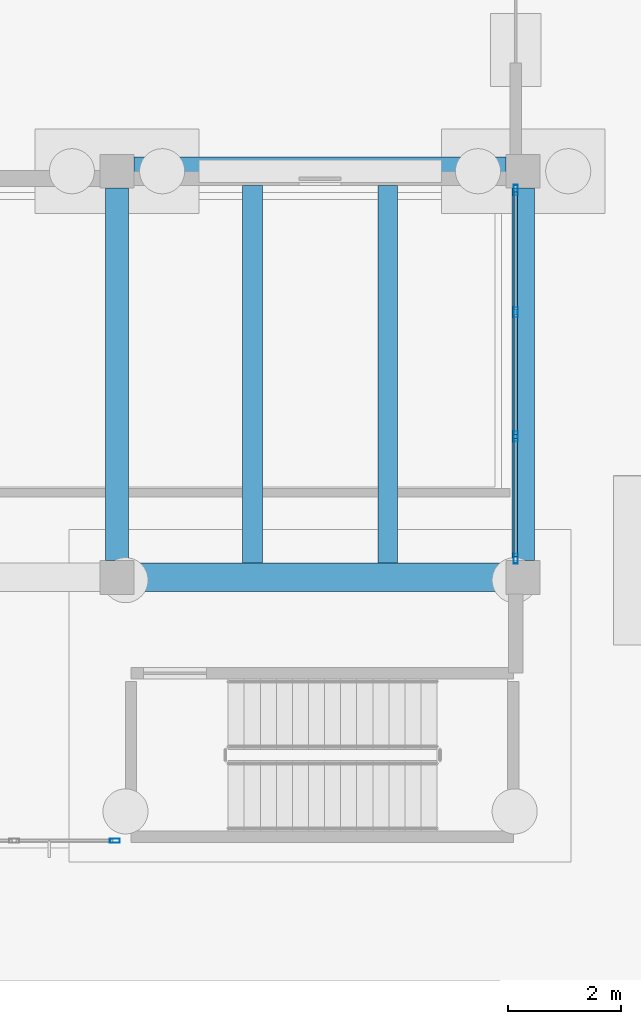
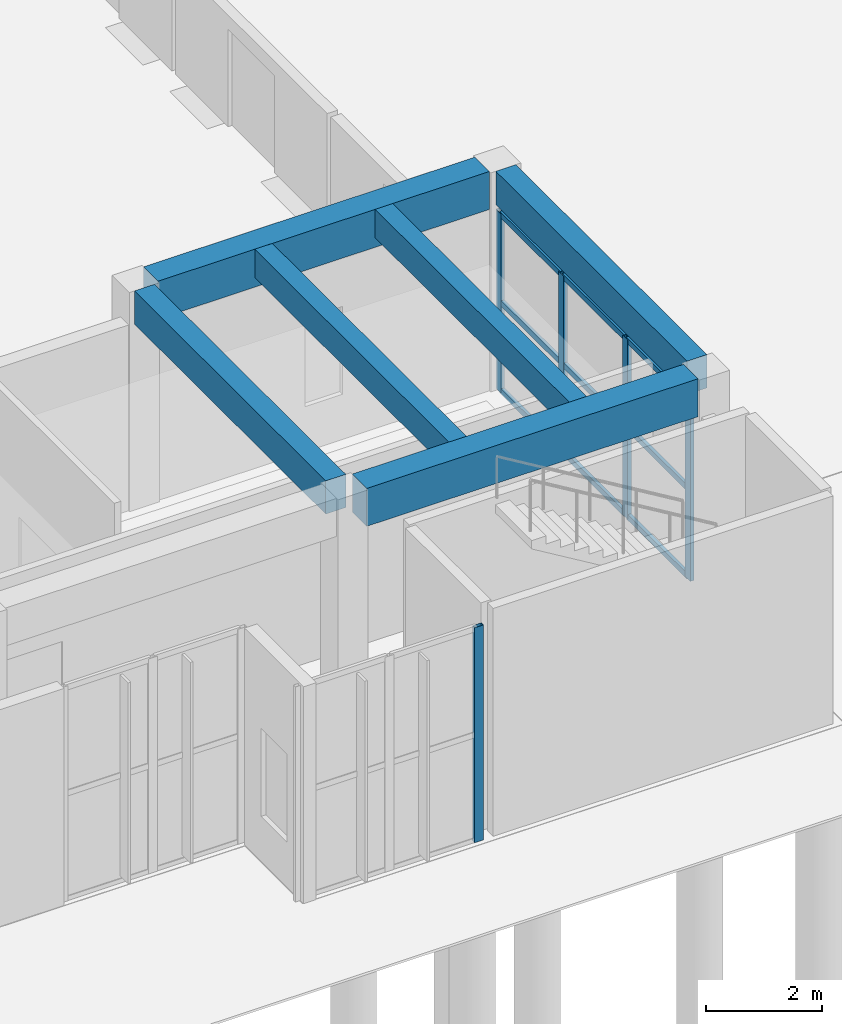
# One storey, part 37 of 155: 14 members, 6 beams, 2 elements without a shape of their own.
"""IFC4 building model written with IfcOpenShell, lengths in metres."""

import ifcopenshell
import ifcopenshell.guid

model = None  # the IFC model being written
_history = None  # IfcOwnerHistory: only IFC2X3 demands one
_inside = {}  # id of a spatial element -> (the spatial element, [elements in it])
_under = {}  # id of a project, library or spatial element -> (it, [spatial elements below it])
_declared = {}  # id of a project -> (the project, [libraries it declares])
_typed = {}  # id of a type object -> (the type object, [elements of that type])
_made_of = {}  # id of a material, layer set ... -> (it, [elements and type objects made of it])


def new_model(schema):
    """Start an empty IFC model of exactly this schema.

    Asked for "IFC4X3", IfcOpenShell would pick the latest addendum, in which some entities
    have other attributes; the version numbers below select the first issue.
    IFC2X3 requires an IfcOwnerHistory on every rooted entity: one is made here for all.
    """
    global model, _history
    if schema == "IFC4X3":
        model = ifcopenshell.file(schema_version=(4, 3, 0, 0))
    else:
        model = ifcopenshell.file(schema=schema)
    _inside.clear()
    _under.clear()
    _declared.clear()
    _typed.clear()
    _made_of.clear()
    _history = None
    if model.schema == "IFC2X3":
        org = make("IfcOrganization", Name="unknown")
        user = make(
            "IfcPersonAndOrganization",
            ThePerson=make("IfcPerson", FamilyName="unknown"),
            TheOrganization=org,
        )
        app = make(
            "IfcApplication",
            ApplicationDeveloper=org,
            Version="unknown",
            ApplicationFullName="unknown",
            ApplicationIdentifier="unknown",
        )
        _history = make(
            "IfcOwnerHistory",
            OwningUser=user,
            OwningApplication=app,
            ChangeAction="ADDED",
            CreationDate=0,
        )
    return model


def make(cls, **values):
    """One entity of the class cls with the attributes given. An attribute that is None is left unset."""
    return model.create_entity(
        cls, **{name: value for name, value in values.items() if value is not None}
    )


def rooted(cls, **values):
    """An entity with a GlobalId (a new one), such as an element, a storey or a relation."""
    return make(cls, GlobalId=ifcopenshell.guid.new(), OwnerHistory=_history, **values)


def si_unit(unit_type, name, prefix=None):
    """IfcSIUnit, for example si_unit("LENGTHUNIT", "METRE", prefix="MILLI")."""
    return make("IfcSIUnit", UnitType=unit_type, Prefix=prefix, Name=name)


def assignment(units):
    """IfcUnitAssignment: the units of a project."""
    return None if units is None else make("IfcUnitAssignment", Units=units)


def point(xyz):
    """IfcCartesianPoint."""
    return None if xyz is None else make("IfcCartesianPoint", Coordinates=xyz)


def direction(xyz):
    """IfcDirection."""
    return None if xyz is None else make("IfcDirection", DirectionRatios=xyz)


def frame(location, z_axis=None, x_axis=None):
    """IfcAxis2Placement3D, a coordinate frame: its origin and axes. An axis left out is left unset."""
    return make(
        "IfcAxis2Placement3D",
        Location=point(location),
        Axis=direction(z_axis),
        RefDirection=direction(x_axis),
    )


def frame_2d(location, x_axis=None):
    """IfcAxis2Placement2D, a coordinate frame in the plane: its origin and x axis."""
    return make(
        "IfcAxis2Placement2D", Location=point(location), RefDirection=direction(x_axis)
    )


def origin():
    """The frame at (0, 0, 0) with its axes left unset."""
    return frame((0.0, 0.0, 0.0))


def origin_2d():
    """The frame at (0, 0) in the plane with its x axis left unset."""
    return frame_2d((0.0, 0.0))


def place(relative_to, where):
    """IfcLocalPlacement: puts the frame where relative to a parent placement (None: the world)."""
    return make(
        "IfcLocalPlacement", PlacementRelTo=relative_to, RelativePlacement=where
    )


def context(
    kind, dimensions, precision=None, world=None, true_north=None, identifier=None
):
    """IfcGeometricRepresentationContext, for example the 3D "Model" context."""
    return make(
        "IfcGeometricRepresentationContext",
        ContextIdentifier=identifier,
        ContextType=kind,
        CoordinateSpaceDimension=dimensions,
        Precision=precision,
        WorldCoordinateSystem=world,
        TrueNorth=true_north,
    )


def subcontext(parent, identifier, kind, view, scale=None):
    """IfcGeometricRepresentationSubContext, for example "Body" below "Model"."""
    return make(
        "IfcGeometricRepresentationSubContext",
        ContextIdentifier=identifier,
        ContextType=kind,
        ParentContext=parent,
        TargetScale=scale,
        TargetView=view,
    )


def project(units=None, contexts=None):
    """IfcProject with its units and contexts."""
    return rooted(
        "IfcProject",
        Name="project",
        RepresentationContexts=contexts,
        UnitsInContext=assignment(units),
    )


def spatial(cls, under=None, at=None, **own):
    """A site, building, storey or space (cls), placed at a placement, below another one or the project."""
    s = rooted(cls, ObjectPlacement=at, **own)
    if under is not None:
        _under.setdefault(under.id(), (under, []))[1].append(s)
    return s


def profile(cls, at=None, kind="AREA", **sizes):
    """A parametric profile (cls). Its sizes go by their IFC names, for example OverallWidth=200.0."""
    return make(cls, ProfileType=kind, Position=at, **sizes)


def rectangle(**sizes):
    """IfcRectangleProfileDef."""
    return profile("IfcRectangleProfileDef", **sizes)


def hollow_rectangle(**sizes):
    """IfcRectangleHollowProfileDef."""
    return profile("IfcRectangleHollowProfileDef", **sizes)


def extrude(swept, where, along, depth):
    """IfcExtrudedAreaSolid: the profile swept, set in the frame where, extruded along a direction by depth."""
    return make(
        "IfcExtrudedAreaSolid",
        SweptArea=swept,
        Position=where,
        ExtrudedDirection=direction(along),
        Depth=depth,
    )


def shape(context_of_items, identifier, shape_type, items):
    """IfcShapeRepresentation: the items that make up one representation, for example the "Body"."""
    return make(
        "IfcShapeRepresentation",
        ContextOfItems=context_of_items,
        RepresentationIdentifier=identifier,
        RepresentationType=shape_type,
        Items=items,
    )


def material(Name=None, Category=None):
    """IfcMaterial."""
    return make("IfcMaterial", Name=Name, Category=Category)


def material_profile(
    of_material, cross_section, Name=None, Category=None, Priority=None
):
    """IfcMaterialProfile: a cross section and its material."""
    return make(
        "IfcMaterialProfile",
        Name=Name,
        Material=of_material,
        Profile=cross_section,
        Priority=Priority,
        Category=Category,
    )


def profile_set(profiles, Name=None, composite=None):
    """IfcMaterialProfileSet."""
    return make(
        "IfcMaterialProfileSet",
        Name=Name,
        MaterialProfiles=profiles,
        CompositeProfile=composite,
    )


def made_of(thing, what):
    """Note that an element or type object is made of a material, layer set ...; save() writes the relation."""
    if what is not None:
        _made_of.setdefault(what.id(), (what, []))[1].append(thing)
    return thing


def type_object(cls, material=None, **own):
    """A type object (cls), such as IfcWallType, which elements share."""
    return made_of(rooted(cls, **own), material)


def element(
    cls,
    number,
    at=None,
    inside=None,
    cuts=None,
    type_object=None,
    material=None,
    context=None,
    identifier="Body",
    shape_type=None,
    held_by="IfcProductDefinitionShape",
    body=None,
    shapes=None,
    **own,
):
    """One element of the class cls, such as IfcWall. Its Tag is "e" and its number.

    at: its placement. inside: the storey or other place that contains it. cuts: it is an
    opening in that element (IfcRelVoidsElement). A single representation is given by context,
    identifier, shape_type and body (its items); several are given by shapes. held_by: the class
    of the entity that holds the representations. save() writes the other relations.
    """
    e = rooted(cls, Tag="e%d" % number, ObjectPlacement=at, **own)
    if body is not None:
        shapes = [shape(context, identifier, shape_type, body)]
    if shapes is not None:
        e.Representation = make(held_by, Representations=shapes)
    if inside is not None:
        _inside.setdefault(inside.id(), (inside, []))[1].append(e)
    if cuts is not None:
        rooted(
            "IfcRelVoidsElement", RelatingBuildingElement=cuts, RelatedOpeningElement=e
        )
    if type_object is not None:
        _typed.setdefault(type_object.id(), (type_object, []))[1].append(e)
    return made_of(e, material)


def aggregate(whole, parts):
    """IfcRelAggregates: a whole, such as a stair, and the parts it consists of."""
    return rooted("IfcRelAggregates", RelatingObject=whole, RelatedObjects=parts)


def save(model, path):
    """Write the relations noted so far, then the file.

    IfcRelAggregates (storeys below a building ...), IfcRelContainedInSpatialStructure (elements
    in a storey), IfcRelDefinesByType, IfcRelAssociatesMaterial and IfcRelDeclares: one each for
    every whole, place, type object, material and project.
    """
    for whole, parts in _under.values():
        aggregate(whole, parts)
    for where, things in _inside.values():
        rooted(
            "IfcRelContainedInSpatialStructure",
            RelatedElements=things,
            RelatingStructure=where,
        )
    for kind, things in _typed.values():
        rooted("IfcRelDefinesByType", RelatedObjects=things, RelatingType=kind)
    for what, things in _made_of.values():
        rooted("IfcRelAssociatesMaterial", RelatedObjects=things, RelatingMaterial=what)
    for by, libraries in _declared.values():
        rooted("IfcRelDeclares", RelatingContext=by, RelatedDefinitions=libraries)
    model.write(path)


model = new_model("IFC4")

# Units and contexts
model_context = context("Model", 3, precision=1e-05, world=origin(), true_north=direction((0.0, 1.0)))
body_context = subcontext(model_context, "Body", "Model", "MODEL_VIEW")
ifc_project = project(units=[si_unit("LENGTHUNIT", "METRE"), si_unit("AREAUNIT", "SQUARE_METRE"), si_unit("VOLUMEUNIT", "CUBIC_METRE"), si_unit("PLANEANGLEUNIT", "RADIAN"), si_unit("MASSUNIT", "GRAM", prefix="KILO")], contexts=[model_context])

# Site, building, storey
site_placement = place(None, origin())
site = spatial("IfcSite", under=ifc_project, at=site_placement, CompositionType="ELEMENT")
building_placement = place(site_placement, origin())
building = spatial("IfcBuilding", under=site, at=building_placement, Name="Bramvelor Terrace Health Centre", CompositionType="ELEMENT")
storey_placement = place(building_placement, origin())
storey = spatial("IfcBuildingStorey", under=building, at=storey_placement, Name="L01", CompositionType="ELEMENT", Elevation=0.0)

# Beams
ifc_material_1 = material(Name="Concrete C40/50", Category="concrete")
ifc_material_profile_1 = material_profile(ifc_material_1, rectangle(XDim=0.39990234375, YDim=0.699951171875, at=origin_2d()), Name="RC 400x700")
ifc_profile_set_1 = profile_set([ifc_material_profile_1], Name="Concrete C40/50")
beam_type_1 = type_object("IfcBeamType", Name="BM-RC-G700", PredefinedType="BEAM", material=ifc_profile_set_1)
for number, where, z_axis, x_axis, name in (
    (1, (79.199951171875, 7.5, 4.264892578125), (0.0, 1.0, 0.0), (-1.0, 0.0, 0.0), "L01 Floor Girder"),
    (2, (86.39990234375, 7.5, 4.264892578125), (0.0, 1.0, 0.0), (-1.0, 0.0, 0.0), "L01 Floor Girder"),
):
    element("IfcBeam", number, at=place(storey_placement, frame(where, z_axis=z_axis, x_axis=x_axis)), inside=storey, type_object=beam_type_1, Name=name, PredefinedType="BEAM", context=body_context, shape_type="SweptSolid", body=[
        extrude(rectangle(XDim=0.39990234375, YDim=0.699951171875, at=origin_2d()), origin(), (0.0, 0.0, 1.0), 6.60009765625),
    ])
ifc_material_2 = material(Name="Concrete C40/50", Category="concrete")
ifc_material_profile_2 = material_profile(ifc_material_2, rectangle(XDim=0.5, YDim=0.800048828125, at=origin_2d()), Name="RC 500x800")
ifc_profile_set_2 = profile_set([ifc_material_profile_2], Name="Concrete C40/50")
beam_type_2 = type_object("IfcBeamType", Name="BM-RC-G800", PredefinedType="BEAM", material=ifc_profile_set_2)
for number, where, z_axis, x_axis, name in (
    (3, (79.5, 7.199951171875, 4.215087890625), (1.0, 0.0, 0.0), (0.0, 1.0, 0.0), "L01 Floor Girder"),
    (4, (79.5, 14.39990234375, 4.215087890625), (1.0, 0.0, 0.0), (0.0, 1.0, 0.0), "L01 Floor Girder"),
):
    element("IfcBeam", number, at=place(storey_placement, frame(where, z_axis=z_axis, x_axis=x_axis)), inside=storey, type_object=beam_type_2, Name=name, PredefinedType="BEAM", context=body_context, shape_type="SweptSolid", body=[
        extrude(rectangle(XDim=0.5, YDim=0.800048828125, at=origin_2d()), origin(), (0.0, 0.0, 1.0), 6.60009765625),
    ])
ifc_material_3 = material(Name="Concrete C40/50", Category="concrete")
ifc_material_profile_3 = material_profile(ifc_material_3, rectangle(XDim=0.35009765625, YDim=0.60009765625, at=origin_2d()), Name="RC 350x600")
ifc_profile_set_3 = profile_set([ifc_material_profile_3], Name="Concrete C40/50")
beam_type_3 = type_object("IfcBeamType", Name="BM-RC-J600", PredefinedType="JOIST", material=ifc_profile_set_3)
for number, where, z_axis, x_axis, name in (
    (5, (81.60009765625, 7.449951171875, 4.31494140625), (0.0, 1.0, 0.0), (-1.0, 0.0, 0.0), "L01 Secondary Floor Joist"),
    (6, (84.0, 7.449951171875, 4.31494140625), (0.0, 1.0, 0.0), (-1.0, 0.0, 0.0), "L01 Secondary Floor Joist"),
):
    element("IfcBeam", number, at=place(storey_placement, frame(where, z_axis=z_axis, x_axis=x_axis)), inside=storey, type_object=beam_type_3, Name=name, PredefinedType="JOIST", context=body_context, shape_type="SweptSolid", body=[
        extrude(rectangle(XDim=0.35009765625, YDim=0.60009765625, at=origin_2d()), origin(), (0.0, 0.0, 1.0), 6.699951171875),
    ])

# Curtain wall, members
ifc_material_4 = material(Name="Anodized aluminium and double low-E glass", Category="aluminium")
curtain_wall_type_1 = type_object("IfcCurtainWallType", Name="CW-SYS-05", PredefinedType="NOTDEFINED", material=ifc_material_4)
curtain_wall_1_placement = place(storey_placement, origin())
curtain_wall_1 = element("IfcCurtainWall", 7, at=curtain_wall_1_placement, inside=storey, type_object=curtain_wall_type_1, Name="L01 Unitized Curtain Wall 53", PredefinedType="NOTDEFINED")
ifc_material_5 = material(Name="Anodized aluminium 6063-T6", Category="aluminium")
ifc_material_profile_4 = material_profile(ifc_material_5, hollow_rectangle(XDim=0.074951171875, YDim=0.179931640625, WallThickness=0.00341796875, at=origin_2d()), Name="ALU-MUL 75x180x3.5")
ifc_profile_set_4 = profile_set([ifc_material_profile_4], Name="Anodized aluminium 6063-T6")
member_type_1 = type_object("IfcMemberType", Name="CW-MUL-65x180", PredefinedType="MULLION", material=ifc_profile_set_4)
member_1_placement = place(storey_placement, frame((86.27001953125, 14.0673828125, 0.0), z_axis=(0.0, 0.0, 1.0), x_axis=(1.0, 0.0, 0.0)))
member_1 = element("IfcMember", 8, at=member_1_placement, type_object=member_type_1, Name="CW-05 mullion 1", PredefinedType="MULLION", context=body_context, shape_type="SweptSolid", body=[
    extrude(hollow_rectangle(XDim=0.074951171875, YDim=0.179931640625, WallThickness=0.00341796875, at=origin_2d()), origin(), (0.0, 0.0, 1.0), 3.77490234375),
])
member_2_placement = place(storey_placement, frame((86.27001953125, 11.901611328125, 0.0), z_axis=(0.0, 0.0, 1.0), x_axis=(1.0, 0.0, 0.0)))
member_2 = element("IfcMember", 9, at=member_2_placement, type_object=member_type_1, Name="CW-05 mullion 2", PredefinedType="MULLION", context=body_context, shape_type="SweptSolid", body=[
    extrude(hollow_rectangle(XDim=0.074951171875, YDim=0.179931640625, WallThickness=0.00341796875, at=origin_2d()), origin(), (0.0, 0.0, 1.0), 3.77490234375),
])
member_3_placement = place(storey_placement, frame((86.27001953125, 9.6982421875, 0.0), z_axis=(0.0, 0.0, 1.0), x_axis=(1.0, 0.0, 0.0)))
member_3 = element("IfcMember", 10, at=member_3_placement, type_object=member_type_1, Name="CW-05 mullion 3", PredefinedType="MULLION", context=body_context, shape_type="SweptSolid", body=[
    extrude(hollow_rectangle(XDim=0.074951171875, YDim=0.179931640625, WallThickness=0.00341796875, at=origin_2d()), origin(), (0.0, 0.0, 1.0), 3.77490234375),
])
member_4_placement = place(storey_placement, frame((86.27001953125, 7.532470703125, 0.0), z_axis=(0.0, 0.0, 1.0), x_axis=(1.0, 0.0, 0.0)))
member_4 = element("IfcMember", 11, at=member_4_placement, type_object=member_type_1, Name="CW-05 mullion 4", PredefinedType="MULLION", context=body_context, shape_type="SweptSolid", body=[
    extrude(hollow_rectangle(XDim=0.074951171875, YDim=0.179931640625, WallThickness=0.00341796875, at=origin_2d()), origin(), (0.0, 0.0, 1.0), 3.77490234375),
])

# Curtain wall, member
ifc_material_6 = material(Name="Anodized aluminium and double low-E glass", Category="aluminium")
curtain_wall_type_2 = type_object("IfcCurtainWallType", Name="CW-SYS-08", PredefinedType="NOTDEFINED", material=ifc_material_6)
curtain_wall_2_placement = place(storey_placement, origin())
curtain_wall_2 = element("IfcCurtainWall", 12, at=curtain_wall_2_placement, inside=storey, type_object=curtain_wall_type_2, Name="L01 Unitized Curtain Wall 54", PredefinedType="NOTDEFINED")
member_5_placement = place(storey_placement, frame((79.16259765625, 2.530029296875, 0.0), z_axis=(0.0, 0.0, 1.0), x_axis=(0.0, -1.0, 0.0)))
member_5 = element("IfcMember", 13, at=member_5_placement, type_object=member_type_1, Name="CW-08 mullion 1", PredefinedType="MULLION", context=body_context, shape_type="SweptSolid", body=[
    extrude(hollow_rectangle(XDim=0.074951171875, YDim=0.179931640625, WallThickness=0.00341796875, at=origin_2d()), origin(), (0.0, 0.0, 1.0), 4.530029296875),
])
aggregate(curtain_wall_2, [member_5])

# Member
ifc_material_7 = material(Name="Anodized aluminium 6063-T6", Category="aluminium")
ifc_material_profile_5 = material_profile(ifc_material_7, hollow_rectangle(XDim=0.06494140625, YDim=0.1201171875, WallThickness=0.0029296875, at=origin_2d()), Name="ALU-TRN 65x120x3.0")
ifc_profile_set_5 = profile_set([ifc_material_profile_5], Name="Anodized aluminium 6063-T6")
member_type_2 = type_object("IfcMemberType", Name="CW-TRN-65x150", PredefinedType="USERDEFINED", material=ifc_profile_set_5)
member_6_placement = place(storey_placement, frame((86.27001953125, 14.030029296875, 0.032470703125), z_axis=(0.0, -1.0, 0.0), x_axis=(1.0, 0.0, 0.0)))
member_6 = element("IfcMember", 14, at=member_6_placement, type_object=member_type_2, Name="CW-05 transom 1.1", ObjectType="TRANSOM", PredefinedType="USERDEFINED", context=body_context, shape_type="SweptSolid", body=[
    extrude(hollow_rectangle(XDim=0.06494140625, YDim=0.1201171875, WallThickness=0.0029296875, at=origin_2d()), origin(), (0.0, 0.0, 1.0), 2.0908203125),
])

member_7_placement = place(storey_placement, frame((86.27001953125, 14.030029296875, 1.887451171875), z_axis=(0.0, -1.0, 0.0), x_axis=(1.0, 0.0, 0.0)))
member_7 = element("IfcMember", 15, at=member_7_placement, type_object=member_type_2, Name="CW-05 transom 1.2", ObjectType="TRANSOM", PredefinedType="USERDEFINED", context=body_context, shape_type="SweptSolid", body=[
    extrude(hollow_rectangle(XDim=0.06494140625, YDim=0.1201171875, WallThickness=0.0029296875, at=origin_2d()), origin(), (0.0, 0.0, 1.0), 2.0908203125),
])

member_8_placement = place(storey_placement, frame((86.27001953125, 14.030029296875, 3.742431640625), z_axis=(0.0, -1.0, 0.0), x_axis=(1.0, 0.0, 0.0)))
member_8 = element("IfcMember", 16, at=member_8_placement, type_object=member_type_2, Name="CW-05 transom 1.3", ObjectType="TRANSOM", PredefinedType="USERDEFINED", context=body_context, shape_type="SweptSolid", body=[
    extrude(hollow_rectangle(XDim=0.06494140625, YDim=0.1201171875, WallThickness=0.0029296875, at=origin_2d()), origin(), (0.0, 0.0, 1.0), 2.0908203125),
])

member_9_placement = place(storey_placement, frame((86.27001953125, 11.8642578125, 0.032470703125), z_axis=(0.0, -1.0, 0.0), x_axis=(1.0, 0.0, 0.0)))
member_9 = element("IfcMember", 17, at=member_9_placement, type_object=member_type_2, Name="CW-05 transom 2.1", ObjectType="TRANSOM", PredefinedType="USERDEFINED", context=body_context, shape_type="SweptSolid", body=[
    extrude(hollow_rectangle(XDim=0.06494140625, YDim=0.1201171875, WallThickness=0.0029296875, at=origin_2d()), origin(), (0.0, 0.0, 1.0), 2.12841796875),
])

member_10_placement = place(storey_placement, frame((86.27001953125, 11.8642578125, 1.887451171875), z_axis=(0.0, -1.0, 0.0), x_axis=(1.0, 0.0, 0.0)))
member_10 = element("IfcMember", 18, at=member_10_placement, type_object=member_type_2, Name="CW-05 transom 2.2", ObjectType="TRANSOM", PredefinedType="USERDEFINED", context=body_context, shape_type="SweptSolid", body=[
    extrude(hollow_rectangle(XDim=0.06494140625, YDim=0.1201171875, WallThickness=0.0029296875, at=origin_2d()), origin(), (0.0, 0.0, 1.0), 2.12841796875),
])

member_11_placement = place(storey_placement, frame((86.27001953125, 11.8642578125, 3.742431640625), z_axis=(0.0, -1.0, 0.0), x_axis=(1.0, 0.0, 0.0)))
member_11 = element("IfcMember", 19, at=member_11_placement, type_object=member_type_2, Name="CW-05 transom 2.3", ObjectType="TRANSOM", PredefinedType="USERDEFINED", context=body_context, shape_type="SweptSolid", body=[
    extrude(hollow_rectangle(XDim=0.06494140625, YDim=0.1201171875, WallThickness=0.0029296875, at=origin_2d()), origin(), (0.0, 0.0, 1.0), 2.12841796875),
])

member_12_placement = place(storey_placement, frame((86.27001953125, 9.660888671875, 0.032470703125), z_axis=(0.0, -1.0, 0.0), x_axis=(1.0, 0.0, 0.0)))
member_12 = element("IfcMember", 20, at=member_12_placement, type_object=member_type_2, Name="CW-05 transom 3.1", ObjectType="TRANSOM", PredefinedType="USERDEFINED", context=body_context, shape_type="SweptSolid", body=[
    extrude(hollow_rectangle(XDim=0.06494140625, YDim=0.1201171875, WallThickness=0.0029296875, at=origin_2d()), origin(), (0.0, 0.0, 1.0), 2.0908203125),
])

member_13_placement = place(storey_placement, frame((86.27001953125, 9.660888671875, 1.887451171875), z_axis=(0.0, -1.0, 0.0), x_axis=(1.0, 0.0, 0.0)))
member_13 = element("IfcMember", 21, at=member_13_placement, type_object=member_type_2, Name="CW-05 transom 3.2", ObjectType="TRANSOM", PredefinedType="USERDEFINED", context=body_context, shape_type="SweptSolid", body=[
    extrude(hollow_rectangle(XDim=0.06494140625, YDim=0.1201171875, WallThickness=0.0029296875, at=origin_2d()), origin(), (0.0, 0.0, 1.0), 2.0908203125),
])

member_14_placement = place(storey_placement, frame((86.27001953125, 9.660888671875, 3.742431640625), z_axis=(0.0, -1.0, 0.0), x_axis=(1.0, 0.0, 0.0)))
member_14 = element("IfcMember", 22, at=member_14_placement, type_object=member_type_2, Name="CW-05 transom 3.3", ObjectType="TRANSOM", PredefinedType="USERDEFINED", context=body_context, shape_type="SweptSolid", body=[
    extrude(hollow_rectangle(XDim=0.06494140625, YDim=0.1201171875, WallThickness=0.0029296875, at=origin_2d()), origin(), (0.0, 0.0, 1.0), 2.0908203125),
])

aggregate(curtain_wall_1, [member_1, member_2, member_3, member_4, member_6, member_7, member_8, member_9, member_10, member_11, member_12, member_13, member_14])

save(model, "model.ifc")
